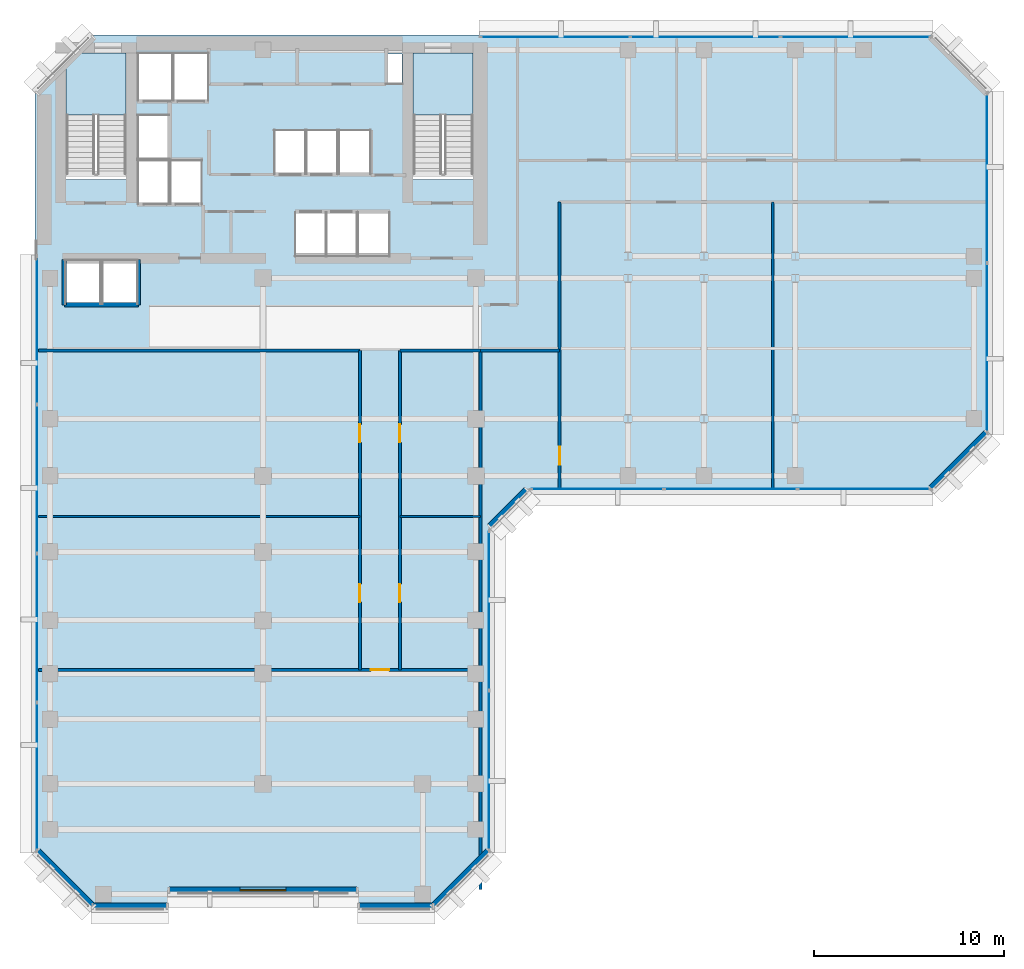
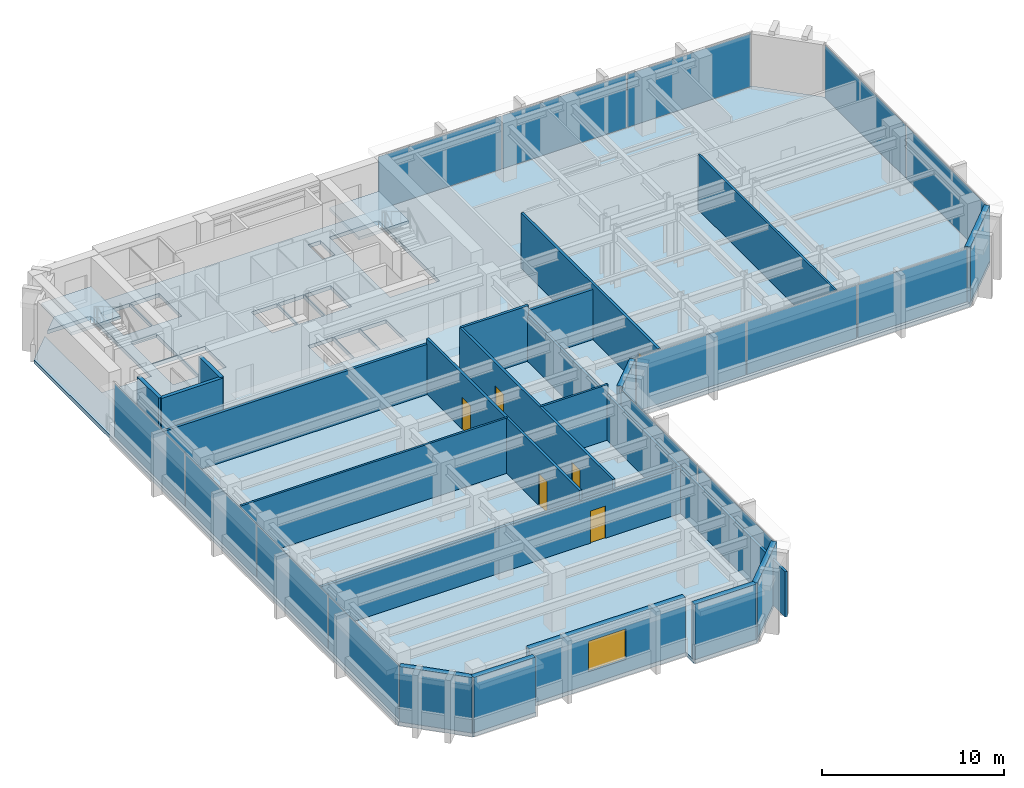
# One storey, part 6 of 11: 21 walls, 14 plates, 6 doors, 3 slabs, 1 window, 7 openings, 7 elements without a shape of their own.
"""IFC4 building model written with IfcOpenShell, lengths in metres."""

from ifc_helpers import new_model, si_unit, direction, frame, frame_2d, origin, origin_2d, place, context, subcontext, project, spatial, polyline, rectangle, outline, extrude, material, layer, layer_set, type_object, element, fill, aggregate, save


model = new_model("IFC4")

# Units and contexts
model_context = context("Model", 3, precision=1e-05, world=origin(), true_north=direction((0.0, 1.0)))
body_context = subcontext(model_context, "Body", "Model", "MODEL_VIEW")
ifc_project = project(units=[si_unit("LENGTHUNIT", "METRE"), si_unit("AREAUNIT", "SQUARE_METRE"), si_unit("VOLUMEUNIT", "CUBIC_METRE"), si_unit("PLANEANGLEUNIT", "RADIAN"), si_unit("MASSUNIT", "GRAM", prefix="KILO")], contexts=[model_context])

# Site, building, storey
site_placement = place(None, origin())
site = spatial("IfcSite", under=ifc_project, at=site_placement, CompositionType="ELEMENT")
building_placement = place(site_placement, origin())
building = spatial("IfcBuilding", under=site, at=building_placement, Name="Kefirva Bronze Tower", CompositionType="ELEMENT")
storey_placement = place(building_placement, frame((0.0, 0.0, 183.47998046875)))
storey = spatial("IfcBuildingStorey", under=building, at=storey_placement, Name="L44", CompositionType="ELEMENT", Elevation=183.47998046875)

# Stair, slab
ifc_material_1 = material(Name="Concrete C40/50", Category="concrete")
stair_type = type_object("IfcStairType", Name="RC Dogleg Protected Stair 24R", PredefinedType="HALF_TURN_STAIR", material=ifc_material_1)
stair_1_placement = place(storey_placement, origin())
stair_1 = element("IfcStair", 1, at=stair_1_placement, inside=storey, type_object=stair_type, Name="L44 Protected Exit Stair 1", PredefinedType="HALF_TURN_STAIR")
ifc_layer_1 = layer(ifc_material_1, 0.199951171875, Name="Concrete C40/50")
ifc_layer_set_1 = layer_set([ifc_layer_1], Name="Concrete C40/50")
slab_type_1 = type_object("IfcSlabType", Name="RC Stair Landing Slab 200mm", PredefinedType="LANDING", material=ifc_layer_set_1)
slab_1_placement = place(storey_placement, frame((0.0, 0.0, 1.780029296875)))
slab_1 = element("IfcSlab", 2, at=slab_1_placement, type_object=slab_type_1, Name="ST-1 landing 1", PredefinedType="LANDING", context=body_context, shape_type="SweptSolid", body=[
    extrude(outline(polyline([(4.800048828125, 41.780029296875), (4.800048828125, 45.050048828125), (1.64990234375, 45.050048828125), (1.64990234375, 41.780029296875), (4.800048828125, 41.780029296875)])), origin(), (0.0, 0.0, 1.0), 0.199951171875),
])
aggregate(stair_1, [slab_1])

stair_2_placement = place(storey_placement, origin())
stair_2 = element("IfcStair", 3, at=stair_2_placement, inside=storey, type_object=stair_type, Name="L44 Protected Exit Stair 2", PredefinedType="HALF_TURN_STAIR")
slab_2_placement = place(storey_placement, frame((0.0, 0.0, 1.780029296875)))
slab_2 = element("IfcSlab", 4, at=slab_2_placement, type_object=slab_type_1, Name="ST-2 landing 1", PredefinedType="LANDING", context=body_context, shape_type="SweptSolid", body=[
    extrude(outline(polyline([(23.050048828125, 41.780029296875), (23.050048828125, 45.050048828125), (19.89990234375, 45.050048828125), (19.89990234375, 41.780029296875), (23.050048828125, 41.780029296875)])), origin(), (0.0, 0.0, 1.0), 0.199951171875),
])
aggregate(stair_2, [slab_2])

# Slab
ifc_layer_2 = layer(ifc_material_1, 0.25, Name="Concrete C40/50")
ifc_layer_set_2 = layer_set([ifc_layer_2], Name="Concrete C40/50")
slab_type_2 = type_object("IfcSlabType", Name="RC Tower Floor Slab 250mm", PredefinedType="FLOOR", material=ifc_layer_set_2)
slab_3_placement = place(storey_placement, frame((0.0, 0.0, -0.25)))
element("IfcSlab", 5, at=slab_3_placement, inside=storey, type_object=slab_type_2, Name="L44 Structural Floor Slab", PredefinedType="FLOOR", context=body_context, shape_type="SweptSolid", body=[
    extrude(outline(polyline([(0.0, 3.0), (0.0, 43.0), (1.64990234375, 44.64990234375), (1.64990234375, 38.39990234375), (4.800048828125, 38.39990234375), (4.800048828125, 45.050048828125), (2.050048828125, 45.050048828125), (3.0, 46.0), (47.199951171875, 46.0), (50.199951171875, 43.0), (50.199951171875, 25.0), (47.199951171875, 22.0), (26.0, 22.0), (24.0, 20.0), (24.0, 3.0), (21.0, 0.0), (17.0, 0.0), (17.0, 0.85009765625), (7.0, 0.85009765625), (7.0, 0.0), (3.0, 0.0), (0.0, 3.0)]), holes=[polyline([(23.050048828125, 38.39990234375), (23.050048828125, 45.050048828125), (19.89990234375, 45.050048828125), (19.89990234375, 38.39990234375), (23.050048828125, 38.39990234375)]), polyline([(19.320068359375, 43.419921875), (19.320068359375, 45.0), (18.52001953125, 45.0), (18.52001953125, 43.419921875), (19.320068359375, 43.419921875)]), polyline([(18.64990234375, 34.35009765625), (18.64990234375, 36.64990234375), (17.0, 36.64990234375), (17.0, 34.35009765625), (18.64990234375, 34.35009765625)]), polyline([(17.64990234375, 38.679931640625), (17.64990234375, 40.97998046875), (16.0, 40.97998046875), (16.0, 38.679931640625), (17.64990234375, 38.679931640625)]), polyline([(16.949951171875, 34.35009765625), (16.949951171875, 36.64990234375), (15.35009765625, 36.64990234375), (15.35009765625, 34.35009765625), (16.949951171875, 34.35009765625)]), polyline([(15.929931640625, 38.679931640625), (15.929931640625, 40.97998046875), (14.300048828125, 40.97998046875), (14.300048828125, 38.679931640625), (15.929931640625, 38.679931640625)]), polyline([(15.300048828125, 34.35009765625), (15.300048828125, 36.64990234375), (13.699951171875, 36.64990234375), (13.699951171875, 34.35009765625), (15.300048828125, 34.35009765625)]), polyline([(14.22998046875, 38.679931640625), (14.22998046875, 40.97998046875), (12.60009765625, 40.97998046875), (12.60009765625, 38.679931640625), (14.22998046875, 38.679931640625)]), polyline([(9.1201171875, 42.550048828125), (9.1201171875, 45.050048828125), (7.300048828125, 45.050048828125), (7.300048828125, 42.550048828125), (9.1201171875, 42.550048828125)]), polyline([(8.780029296875, 37.10009765625), (8.780029296875, 39.39990234375), (7.139892578125, 39.39990234375), (7.139892578125, 37.10009765625), (8.780029296875, 37.10009765625)]), polyline([(7.239990234375, 42.550048828125), (7.239990234375, 45.050048828125), (5.419921875, 45.050048828125), (5.419921875, 42.550048828125), (7.239990234375, 42.550048828125)]), polyline([(7.06005859375, 37.10009765625), (7.06005859375, 39.39990234375), (5.419921875, 39.39990234375), (5.419921875, 37.10009765625), (7.06005859375, 37.10009765625)]), polyline([(7.06005859375, 39.47998046875), (7.06005859375, 41.780029296875), (5.419921875, 41.780029296875), (5.419921875, 39.47998046875), (7.06005859375, 39.47998046875)]), polyline([(5.39990234375, 31.85009765625), (5.39990234375, 34.14990234375), (3.550048828125, 34.14990234375), (3.550048828125, 31.85009765625), (5.39990234375, 31.85009765625)]), polyline([(3.449951171875, 31.85009765625), (3.449951171875, 34.14990234375), (1.60009765625, 34.14990234375), (1.60009765625, 31.85009765625), (3.449951171875, 31.85009765625)])]), origin(), (0.0, 0.0, 1.0), 0.25),
])

# Curtain wall, plates
ifc_material_2 = material(Name="Bronze anodised aluminium", Category="aluminium")
ifc_layer_3 = layer(ifc_material_2, 0.199951171875, Name="Bronze anodised aluminium")
ifc_layer_set_3 = layer_set([ifc_layer_3], Name="Bronze anodised aluminium")
curtain_wall_type = type_object("IfcCurtainWallType", Name="Unitised Bronze Ribbon Curtain Wall Zone 2", PredefinedType="USERDEFINED", material=ifc_layer_set_3)
curtain_wall_1_placement = place(storey_placement, origin())
curtain_wall_1 = element("IfcCurtainWall", 6, at=curtain_wall_1_placement, inside=storey, type_object=curtain_wall_type, Name="L44 Curtain Wall 1", ObjectType="UNITISED CURTAIN WALL", PredefinedType="USERDEFINED")
ifc_material_3 = material(Name="Laminated low-E double glazing", Category="glass")
ifc_layer_4 = layer(ifc_material_3, 0.031982421875, Name="Laminated low-E double glazing")
ifc_layer_set_4 = layer_set([ifc_layer_4], Name="Laminated low-E double glazing")
plate_type = type_object("IfcPlateType", Name="Solar-Control Low-E Vision Panel 32mm", PredefinedType="CURTAIN_PANEL", material=ifc_layer_set_4)
plate_1_placement = place(storey_placement, frame((23.8798828125, 7.296142578125, 0.074951171875), z_axis=(0.0, 0.0, 1.0), x_axis=(0.0, 1.0, 0.0)))
plate_1 = element("IfcPlate", 7, at=plate_1_placement, type_object=plate_type, Name="CW-02 panel 1.1", PredefinedType="CURTAIN_PANEL", context=body_context, shape_type="SweptSolid", body=[
    extrude(rectangle(XDim=8.33251953125, YDim=0.031982421875, at=origin_2d()), origin(), (0.0, 0.0, 1.0), 3.56005859375),
])
plate_2_placement = place(storey_placement, frame((23.8798828125, 15.703857421875, 0.074951171875), z_axis=(0.0, 0.0, 1.0), x_axis=(0.0, 1.0, 0.0)))
plate_2 = element("IfcPlate", 8, at=plate_2_placement, type_object=plate_type, Name="CW-02 panel 2.1", PredefinedType="CURTAIN_PANEL", context=body_context, shape_type="SweptSolid", body=[
    extrude(rectangle(XDim=8.33251953125, YDim=0.031982421875, at=origin_2d()), origin(), (0.0, 0.0, 1.0), 3.56005859375),
])
aggregate(curtain_wall_1, [plate_1, plate_2])

curtain_wall_2_placement = place(storey_placement, origin())
curtain_wall_2 = element("IfcCurtainWall", 9, at=curtain_wall_2_placement, inside=storey, type_object=curtain_wall_type, Name="L44 Curtain Wall 2", ObjectType="UNITISED CURTAIN WALL", PredefinedType="USERDEFINED")
plate_3_placement = place(storey_placement, frame((29.5888671875, 22.1201171875, 0.074951171875), z_axis=(0.0, 0.0, 1.0), x_axis=(1.0, 0.0, 0.0)))
plate_3 = element("IfcPlate", 10, at=plate_3_placement, type_object=plate_type, Name="CW-02 panel 1.1", PredefinedType="CURTAIN_PANEL", context=body_context, shape_type="SweptSolid", body=[
    extrude(rectangle(XDim=6.91748046875, YDim=0.031982421875, at=origin_2d()), origin(), (0.0, 0.0, 1.0), 3.56005859375),
])
plate_4_placement = place(storey_placement, frame((36.60009765625, 22.1201171875, 0.074951171875), z_axis=(0.0, 0.0, 1.0), x_axis=(1.0, 0.0, 0.0)))
plate_4 = element("IfcPlate", 11, at=plate_4_placement, type_object=plate_type, Name="CW-02 panel 2.1", PredefinedType="CURTAIN_PANEL", context=body_context, shape_type="SweptSolid", body=[
    extrude(rectangle(XDim=6.955078125, YDim=0.031982421875, at=origin_2d()), origin(), (0.0, 0.0, 1.0), 3.56005859375),
])
plate_5_placement = place(storey_placement, frame((43.611328125, 22.1201171875, 0.074951171875), z_axis=(0.0, 0.0, 1.0), x_axis=(1.0, 0.0, 0.0)))
plate_5 = element("IfcPlate", 12, at=plate_5_placement, type_object=plate_type, Name="CW-02 panel 3.1", PredefinedType="CURTAIN_PANEL", context=body_context, shape_type="SweptSolid", body=[
    extrude(rectangle(XDim=6.91748046875, YDim=0.031982421875, at=origin_2d()), origin(), (0.0, 0.0, 1.0), 3.56005859375),
])
aggregate(curtain_wall_2, [plate_3, plate_4, plate_5])

curtain_wall_3_placement = place(storey_placement, origin())
curtain_wall_3 = element("IfcCurtainWall", 13, at=curtain_wall_3_placement, inside=storey, type_object=curtain_wall_type, Name="L44 Curtain Wall 3", ObjectType="UNITISED CURTAIN WALL", PredefinedType="USERDEFINED")
plate_6_placement = place(storey_placement, frame((50.080078125, 29.546142578125, 0.074951171875), z_axis=(0.0, 0.0, 1.0), x_axis=(0.0, 1.0, 0.0)))
plate_6 = element("IfcPlate", 14, at=plate_6_placement, type_object=plate_type, Name="CW-02 panel 1.1", PredefinedType="CURTAIN_PANEL", context=body_context, shape_type="SweptSolid", body=[
    extrude(rectangle(XDim=8.83251953125, YDim=0.031982421875, at=origin_2d()), origin(), (0.0, 0.0, 1.0), 3.56005859375),
])
plate_7_placement = place(storey_placement, frame((50.080078125, 38.453857421875, 0.074951171875), z_axis=(0.0, 0.0, 1.0), x_axis=(0.0, 1.0, 0.0)))
plate_7 = element("IfcPlate", 15, at=plate_7_placement, type_object=plate_type, Name="CW-02 panel 2.1", PredefinedType="CURTAIN_PANEL", context=body_context, shape_type="SweptSolid", body=[
    extrude(rectangle(XDim=8.83251953125, YDim=0.031982421875, at=origin_2d()), origin(), (0.0, 0.0, 1.0), 3.56005859375),
])
aggregate(curtain_wall_3, [plate_6, plate_7])

curtain_wall_4_placement = place(storey_placement, origin())
curtain_wall_4 = element("IfcCurtainWall", 16, at=curtain_wall_4_placement, inside=storey, type_object=curtain_wall_type, Name="L44 Curtain Wall 4", ObjectType="UNITISED CURTAIN WALL", PredefinedType="USERDEFINED")
plate_8_placement = place(storey_placement, frame((43.169677734375, 45.8798828125, 0.074951171875), z_axis=(0.0, 0.0, 1.0), x_axis=(-1.0, 0.0, 0.0)))
plate_8 = element("IfcPlate", 17, at=plate_8_placement, type_object=plate_type, Name="CW-02 panel 1.1", PredefinedType="CURTAIN_PANEL", context=body_context, shape_type="SweptSolid", body=[
    extrude(rectangle(XDim=7.80078125, YDim=0.031982421875, at=origin_2d()), origin(), (0.0, 0.0, 1.0), 3.56005859375),
])
plate_9_placement = place(storey_placement, frame((35.27490234375, 45.8798828125, 0.074951171875), z_axis=(0.0, 0.0, 1.0), x_axis=(-1.0, 0.0, 0.0)))
plate_9 = element("IfcPlate", 18, at=plate_9_placement, type_object=plate_type, Name="CW-02 panel 2.1", PredefinedType="CURTAIN_PANEL", context=body_context, shape_type="SweptSolid", body=[
    extrude(rectangle(XDim=7.83837890625, YDim=0.031982421875, at=origin_2d()), origin(), (0.0, 0.0, 1.0), 3.56005859375),
])
plate_10_placement = place(storey_placement, frame((27.38037109375, 45.8798828125, 0.074951171875), z_axis=(0.0, 0.0, 1.0), x_axis=(-1.0, 0.0, 0.0)))
plate_10 = element("IfcPlate", 19, at=plate_10_placement, type_object=plate_type, Name="CW-02 panel 3.1", PredefinedType="CURTAIN_PANEL", context=body_context, shape_type="SweptSolid", body=[
    extrude(rectangle(XDim=7.80078125, YDim=0.031982421875, at=origin_2d()), origin(), (0.0, 0.0, 1.0), 3.56005859375),
])
aggregate(curtain_wall_4, [plate_8, plate_9, plate_10])

curtain_wall_5_placement = place(storey_placement, origin())
curtain_wall_5 = element("IfcCurtainWall", 20, at=curtain_wall_5_placement, inside=storey, type_object=curtain_wall_type, Name="L44 Curtain Wall 5", ObjectType="UNITISED CURTAIN WALL", PredefinedType="USERDEFINED")
plate_11_placement = place(storey_placement, frame((0.1201171875, 30.458740234375, 0.074951171875), z_axis=(0.0, 0.0, 1.0), x_axis=(0.0, -1.0, 0.0)))
plate_11 = element("IfcPlate", 21, at=plate_11_placement, type_object=plate_type, Name="CW-02 panel 1.1", PredefinedType="CURTAIN_PANEL", context=body_context, shape_type="SweptSolid", body=[
    extrude(rectangle(XDim=7.722412109375, YDim=0.031982421875, at=origin_2d()), origin(), (0.0, 0.0, 1.0), 3.56005859375),
])
plate_12_placement = place(storey_placement, frame((0.1201171875, 22.642578125, 0.074951171875), z_axis=(0.0, 0.0, 1.0), x_axis=(0.0, -1.0, 0.0)))
plate_12 = element("IfcPlate", 22, at=plate_12_placement, type_object=plate_type, Name="CW-02 panel 2.1", PredefinedType="CURTAIN_PANEL", context=body_context, shape_type="SweptSolid", body=[
    extrude(rectangle(XDim=7.760009765625, YDim=0.031982421875, at=origin_2d()), origin(), (0.0, 0.0, 1.0), 3.56005859375),
])
plate_13_placement = place(storey_placement, frame((0.1201171875, 14.8076171875, 0.074951171875), z_axis=(0.0, 0.0, 1.0), x_axis=(0.0, -1.0, 0.0)))
plate_13 = element("IfcPlate", 23, at=plate_13_placement, type_object=plate_type, Name="CW-02 panel 3.1", PredefinedType="CURTAIN_PANEL", context=body_context, shape_type="SweptSolid", body=[
    extrude(rectangle(XDim=7.760009765625, YDim=0.031982421875, at=origin_2d()), origin(), (0.0, 0.0, 1.0), 3.56005859375),
])
plate_14_placement = place(storey_placement, frame((0.1201171875, 6.9912109375, 0.074951171875), z_axis=(0.0, 0.0, 1.0), x_axis=(0.0, -1.0, 0.0)))
plate_14 = element("IfcPlate", 24, at=plate_14_placement, type_object=plate_type, Name="CW-02 panel 4.1", PredefinedType="CURTAIN_PANEL", context=body_context, shape_type="SweptSolid", body=[
    extrude(rectangle(XDim=7.722412109375, YDim=0.031982421875, at=origin_2d()), origin(), (0.0, 0.0, 1.0), 3.56005859375),
])
aggregate(curtain_wall_5, [plate_11, plate_12, plate_13, plate_14])

# Walls
ifc_material_4 = material(Name="Gypsum acoustic partition")
ifc_layer_5 = layer(ifc_material_4, 0.1298828125, Name="Gypsum acoustic partition")
ifc_layer_set_5 = layer_set([ifc_layer_5], Name="Gypsum acoustic partition")
wall_type_1 = type_object("IfcWallType", Name="Acoustic Office Partition 130mm", PredefinedType="PARTITIONING", material=ifc_layer_set_5)
wall_1_placement = place(storey_placement, frame((0.18994140625, 20.6640625, 0.0), z_axis=(0.0, 0.0, 1.0), x_axis=(1.0, 0.0, 0.0)))
element("IfcWall", 25, at=wall_1_placement, inside=storey, type_object=wall_type_1, Name="L44 Partition W-L44-SWD1", PredefinedType="PARTITIONING", context=body_context, shape_type="SweptSolid", body=[
    extrude(rectangle(XDim=16.91015625, YDim=0.1298828125, at=frame_2d((8.455078125, 0.0))), origin(), (0.0, 0.0, 1.0), 3.7099609375),
])
wall_2_placement = place(storey_placement, frame((19.199951171875, 20.6640625, 0.0), z_axis=(0.0, 0.0, 1.0), x_axis=(1.0, 0.0, 0.0)))
element("IfcWall", 26, at=wall_2_placement, inside=storey, type_object=wall_type_1, Name="L44 Partition W-L44-SED1", PredefinedType="PARTITIONING", context=body_context, shape_type="SweptSolid", body=[
    extrude(rectangle(XDim=4.25, YDim=0.1298828125, at=frame_2d((2.125, 0.0))), origin(), (0.0, 0.0, 1.0), 3.7099609375),
])
wall_3_placement = place(storey_placement, frame((38.804931640625, 22.18994140625, 0.0), z_axis=(0.0, 0.0, 1.0), x_axis=(0.0, 1.0, 0.0)))
element("IfcWall", 27, at=wall_3_placement, inside=storey, type_object=wall_type_1, Name="L44 Partition W-L44-ESD1", PredefinedType="PARTITIONING", context=body_context, shape_type="SweptSolid", body=[
    extrude(rectangle(XDim=15.010009765625, YDim=0.1298828125, at=frame_2d((7.5048828125, 0.0))), origin(), (0.0, 0.0, 1.0), 3.7099609375),
])
ifc_material_5 = material(Name="Gypsum fireboard shaftwall")
ifc_layer_6 = layer(ifc_material_5, 0.219970703125, Name="Gypsum fireboard shaftwall")
ifc_layer_set_6 = layer_set([ifc_layer_6], Name="Gypsum fireboard shaftwall")
wall_type_2 = type_object("IfcWallType", Name="Fire-Rated Shaft Enclosure Wall 220mm", PredefinedType="PARTITIONING", material=ifc_layer_set_6)
wall_4_placement = place(storey_placement, frame((1.550048828125, 31.800048828125, 0.0), z_axis=(0.0, 0.0, 1.0), x_axis=(1.0, 0.0, 0.0)))
element("IfcWall", 28, at=wall_4_placement, inside=storey, type_object=wall_type_2, Name="L44 Partition W-L44-OBS", PredefinedType="PARTITIONING", context=body_context, shape_type="SweptSolid", body=[
    extrude(rectangle(XDim=3.89990234375, YDim=0.219970703125, at=frame_2d((1.949951171875, 0.0))), origin(), (0.0, 0.0, 1.0), 3.7099609375),
])
for number, where, z_axis, x_axis, name in (
    (29, (1.550048828125, 31.800048828125, 0.0), (0.0, 0.0, 1.0), (0.0, 1.0, 0.0), "L44 Partition W-L44-OBW"),
    (30, (5.449951171875, 31.800048828125, 0.0), (0.0, 0.0, 1.0), (0.0, 1.0, 0.0), "L44 Partition W-L44-OBE"),
):
    element("IfcWall", number, at=place(storey_placement, frame(where, z_axis=z_axis, x_axis=x_axis)), inside=storey, type_object=wall_type_2, Name=name, PredefinedType="PARTITIONING", context=body_context, shape_type="SweptSolid", body=[
        extrude(rectangle(XDim=2.3798828125, YDim=0.219970703125, at=frame_2d((1.18994140625, 0.0))), origin(), (0.0, 0.0, 1.0), 3.7099609375),
    ])
ifc_material_6 = material(Name="Precast concrete C40/50", Category="concrete")
ifc_layer_7 = layer(ifc_material_6, 0.320068359375, Name="Precast concrete C40/50")
ifc_layer_set_7 = layer_set([ifc_layer_7], Name="Precast concrete C40/50")
wall_type_3 = type_object("IfcWallType", Name="Precast Insulated Exterior Wall 320mm", PredefinedType="SOLIDWALL", material=ifc_layer_set_7)
wall_5_placement = place(storey_placement, frame((3.054931640625, 0.159912109375, 0.0), z_axis=(0.0, 0.0, 1.0), x_axis=(1.0, 0.0, 0.0)))
element("IfcWall", 31, at=wall_5_placement, inside=storey, type_object=wall_type_3, Name="L44 Exterior Facade Wall 1", PredefinedType="SOLIDWALL", context=body_context, shape_type="SweptSolid", body=[
    extrude(rectangle(XDim=3.89013671875, YDim=0.320068359375, at=frame_2d((1.945068359375, 0.0))), origin(), (0.0, 0.0, 1.0), 3.7099609375),
])

# Wall, opening, window
wall_6_placement = place(storey_placement, frame((7.054931640625, 1.010009765625, 0.0), z_axis=(0.0, 0.0, 1.0), x_axis=(1.0, 0.0, 0.0)))
wall_6 = element("IfcWall", 32, at=wall_6_placement, inside=storey, type_object=wall_type_3, Name="L44 Exterior Facade Wall 2", PredefinedType="SOLIDWALL", context=body_context, shape_type="SweptSolid", body=[
    extrude(rectangle(XDim=9.89013671875, YDim=0.320068359375, at=frame_2d((4.945068359375, 0.0))), origin(), (0.0, 0.0, 1.0), 3.7099609375),
])
opening_1_placement = place(wall_6_placement, frame((3.7451171875, 0.0, 0.85009765625)))
opening_1 = element("IfcOpeningElement", 33, at=opening_1_placement, cuts=wall_6, Name="Opening WN-01", PredefinedType="OPENING", context=body_context, shape_type="SweptSolid", body=[
    extrude(rectangle(XDim=2.39990234375, YDim=2.050048828125, at=frame_2d((1.199951171875, 1.02490234375))), frame((0.0, 0.169921875, 0.0), z_axis=(0.0, -1.0, 0.0), x_axis=(1.0, 0.0, 0.0)), (0.0, 0.0, 1.0), 0.340087890625),
])
window_type = type_object("IfcWindowType", Name="Streamline Ribbon Window 2400x2050", PartitioningType="SINGLE_PANEL", PredefinedType="WINDOW", material=ifc_material_3)
window_placement = place(opening_1_placement, origin())
window = element("IfcWindow", 34, at=window_placement, inside=storey, type_object=window_type, Name="L44 Ribbon Window 2", OverallHeight=2.050048828125, OverallWidth=2.39990234375, PartitioningType="SINGLE_PANEL", PredefinedType="WINDOW", context=body_context, shape_type="SweptSolid", body=[
    extrude(rectangle(XDim=2.39990234375, YDim=2.050048828125, at=frame_2d((1.199951171875, 1.02490234375))), frame((0.0, 0.030029296875, 0.0), z_axis=(0.0, -1.0, 0.0), x_axis=(1.0, 0.0, 0.0)), (0.0, 0.0, 1.0), 0.06005859375),
])
fill(opening_1, window)

# Walls
wall_7_placement = place(storey_placement, frame((17.054931640625, 0.159912109375, 0.0), z_axis=(0.0, 0.0, 1.0), x_axis=(1.0, 0.0, 0.0)))
element("IfcWall", 35, at=wall_7_placement, inside=storey, type_object=wall_type_3, Name="L44 Exterior Facade Wall 3", PredefinedType="SOLIDWALL", context=body_context, shape_type="SweptSolid", body=[
    extrude(rectangle(XDim=3.89013671875, YDim=0.320068359375, at=frame_2d((1.945068359375, 0.0))), origin(), (0.0, 0.0, 1.0), 3.7099609375),
])
wall_8_placement = place(storey_placement, frame((20.92578125, 0.152099609375, 0.0), z_axis=(0.0, 0.0, 1.0), x_axis=(0.707106781187, 0.707106781187, 0.0)))
element("IfcWall", 36, at=wall_8_placement, inside=storey, type_object=wall_type_3, Name="L44 Exterior Facade Wall 4", PredefinedType="SOLIDWALL", context=body_context, shape_type="SweptSolid", body=[
    extrude(rectangle(XDim=4.132568359375, YDim=0.320068359375, at=frame_2d((2.06640625, 0.0))), origin(), (0.0, 0.0, 1.0), 3.7099609375),
])
wall_9_placement = place(storey_placement, frame((23.92578125, 20.152099609375, 0.0), z_axis=(0.0, 0.0, 1.0), x_axis=(0.707106781187, 0.707106781187, 0.0)))
element("IfcWall", 37, at=wall_9_placement, inside=storey, type_object=wall_type_3, Name="L44 Exterior Facade Wall 5", PredefinedType="SOLIDWALL", context=body_context, shape_type="SweptSolid", body=[
    extrude(rectangle(XDim=2.71826171875, YDim=0.320068359375, at=frame_2d((1.359130859375, 0.0))), origin(), (0.0, 0.0, 1.0), 3.7099609375),
])
for number, where, z_axis, x_axis, name in (
    (38, (47.125732421875, 22.152099609375, 0.0), (0.0, 0.0, 1.0), (0.707136318428, 0.707077242712, 0.0), "L44 Exterior Facade Wall 6"),
    (39, (0.152099609375, 3.07421875, 0.0), (0.0, 0.0, 1.0), (0.707106781187, -0.707106781187, 0.0), "L44 Exterior Facade Wall 9"),
):
    element("IfcWall", number, at=place(storey_placement, frame(where, z_axis=z_axis, x_axis=x_axis)), inside=storey, type_object=wall_type_3, Name=name, PredefinedType="SOLIDWALL", context=body_context, shape_type="SweptSolid", body=[
        extrude(rectangle(XDim=4.132568359375, YDim=0.320068359375, at=frame_2d((2.06640625, 0.0))), origin(), (0.0, 0.0, 1.0), 3.7099609375),
    ])

# Wall, openings, doors
ifc_layer_8 = layer(ifc_material_4, 0.159912109375, Name="Gypsum acoustic partition")
ifc_layer_set_8 = layer_set([ifc_layer_8], Name="Gypsum acoustic partition")
wall_type_4 = type_object("IfcWallType", Name="Protected Corridor Partition 160mm", PredefinedType="PARTITIONING", material=ifc_layer_set_8)
wall_10_placement = place(storey_placement, frame((17.10009765625, 12.60009765625, 0.0), z_axis=(0.0, 0.0, 1.0), x_axis=(0.0, 1.0, 0.0)))
wall_10 = element("IfcWall", 40, at=wall_10_placement, inside=storey, type_object=wall_type_4, Name="L44 Partition W-L44-SWCORW", PredefinedType="PARTITIONING", context=body_context, shape_type="SweptSolid", body=[
    extrude(rectangle(XDim=16.7998046875, YDim=0.159912109375, at=frame_2d((8.39990234375, 0.0))), origin(), (0.0, 0.0, 1.0), 3.7099609375),
])
opening_2_placement = place(wall_10_placement, frame((4.5068359375, 0.0, 0.0), z_axis=(0.0, 0.0, 1.0), x_axis=(-1.0, 0.0, 0.0)))
opening_2 = element("IfcOpeningElement", 41, at=opening_2_placement, cuts=wall_10, Name="Opening L44-D-SW1", PredefinedType="OPENING", context=body_context, shape_type="SweptSolid", body=[
    extrude(rectangle(XDim=0.949951171875, YDim=2.14990234375, at=frame_2d((0.47509765625, 1.074951171875))), frame((0.0, 0.08984375, 0.0), z_axis=(0.0, -1.0, 0.0), x_axis=(1.0, 0.0, 0.0)), (0.0, 0.0, 1.0), 0.179931640625),
])
opening_3_placement = place(wall_10_placement, frame((12.906982421875, 0.0, 0.0), z_axis=(0.0, 0.0, 1.0), x_axis=(-1.0, 0.0, 0.0)))
opening_3 = element("IfcOpeningElement", 42, at=opening_3_placement, cuts=wall_10, Name="Opening L44-D-SW2", PredefinedType="OPENING", context=body_context, shape_type="SweptSolid", body=[
    extrude(rectangle(XDim=0.949951171875, YDim=2.14990234375, at=frame_2d((0.47509765625, 1.074951171875))), frame((0.0, 0.08984375, 0.0), z_axis=(0.0, -1.0, 0.0), x_axis=(1.0, 0.0, 0.0)), (0.0, 0.0, 1.0), 0.179931640625),
])
ifc_material_7 = material(Name="Acoustic hardwood oak", Category="wood")
door_type = type_object("IfcDoorType", Name="Office & Meeting Room Door 950x2150", OperationType="NOTDEFINED", PredefinedType="DOOR", material=ifc_material_7)
door_1_placement = place(opening_2_placement, origin())
door_1 = element("IfcDoor", 43, at=door_1_placement, inside=storey, type_object=door_type, Name="Door L44-D-SW1", OperationType="SINGLE_SWING_LEFT", OverallHeight=2.14990234375, OverallWidth=0.949951171875, PredefinedType="DOOR", context=body_context, shape_type="SweptSolid", body=[
    extrude(rectangle(XDim=0.949951171875, YDim=2.14990234375, at=frame_2d((0.47509765625, 1.074951171875))), frame((0.0, 0.02490234375, 0.0), z_axis=(0.0, -1.0, 0.0), x_axis=(1.0, 0.0, 0.0)), (0.0, 0.0, 1.0), 0.050048828125),
])
fill(opening_2, door_1)
door_2_placement = place(opening_3_placement, origin())
door_2 = element("IfcDoor", 44, at=door_2_placement, inside=storey, type_object=door_type, Name="Door L44-D-SW2", OperationType="SINGLE_SWING_RIGHT", OverallHeight=2.14990234375, OverallWidth=0.949951171875, PredefinedType="DOOR", context=body_context, shape_type="SweptSolid", body=[
    extrude(rectangle(XDim=0.949951171875, YDim=2.14990234375, at=frame_2d((0.47509765625, 1.074951171875))), frame((0.0, 0.02490234375, 0.0), z_axis=(0.0, -1.0, 0.0), x_axis=(1.0, 0.0, 0.0)), (0.0, 0.0, 1.0), 0.050048828125),
])
fill(opening_3, door_2)

wall_11_placement = place(storey_placement, frame((19.199951171875, 12.60009765625, 0.0), z_axis=(0.0, 0.0, 1.0), x_axis=(0.0, 1.0, 0.0)))
wall_11 = element("IfcWall", 45, at=wall_11_placement, inside=storey, type_object=wall_type_4, Name="L44 Partition W-L44-SECORE", PredefinedType="PARTITIONING", context=body_context, shape_type="SweptSolid", body=[
    extrude(rectangle(XDim=16.7998046875, YDim=0.159912109375, at=frame_2d((8.39990234375, 0.0))), origin(), (0.0, 0.0, 1.0), 3.7099609375),
])
opening_4_placement = place(wall_11_placement, frame((3.556884765625, 0.0, 0.0)))
opening_4 = element("IfcOpeningElement", 46, at=opening_4_placement, cuts=wall_11, Name="Opening L44-D-SE1", PredefinedType="OPENING", context=body_context, shape_type="SweptSolid", body=[
    extrude(rectangle(XDim=0.949951171875, YDim=2.14990234375, at=frame_2d((0.47509765625, 1.074951171875))), frame((0.0, 0.08984375, 0.0), z_axis=(0.0, -1.0, 0.0), x_axis=(1.0, 0.0, 0.0)), (0.0, 0.0, 1.0), 0.179931640625),
])
opening_5_placement = place(wall_11_placement, frame((11.95703125, 0.0, 0.0)))
opening_5 = element("IfcOpeningElement", 47, at=opening_5_placement, cuts=wall_11, Name="Opening L44-D-SE2", PredefinedType="OPENING", context=body_context, shape_type="SweptSolid", body=[
    extrude(rectangle(XDim=0.949951171875, YDim=2.14990234375, at=frame_2d((0.47509765625, 1.074951171875))), frame((0.0, 0.08984375, 0.0), z_axis=(0.0, -1.0, 0.0), x_axis=(1.0, 0.0, 0.0)), (0.0, 0.0, 1.0), 0.179931640625),
])
door_3_placement = place(opening_4_placement, origin())
door_3 = element("IfcDoor", 48, at=door_3_placement, inside=storey, type_object=door_type, Name="Door L44-D-SE1", OperationType="SINGLE_SWING_LEFT", OverallHeight=2.14990234375, OverallWidth=0.949951171875, PredefinedType="DOOR", context=body_context, shape_type="SweptSolid", body=[
    extrude(rectangle(XDim=0.949951171875, YDim=2.14990234375, at=frame_2d((0.47509765625, 1.074951171875))), frame((0.0, 0.02490234375, 0.0), z_axis=(0.0, -1.0, 0.0), x_axis=(1.0, 0.0, 0.0)), (0.0, 0.0, 1.0), 0.050048828125),
])
fill(opening_4, door_3)
door_4_placement = place(opening_5_placement, origin())
door_4 = element("IfcDoor", 49, at=door_4_placement, inside=storey, type_object=door_type, Name="Door L44-D-SE2", OperationType="SINGLE_SWING_RIGHT", OverallHeight=2.14990234375, OverallWidth=0.949951171875, PredefinedType="DOOR", context=body_context, shape_type="SweptSolid", body=[
    extrude(rectangle(XDim=0.949951171875, YDim=2.14990234375, at=frame_2d((0.47509765625, 1.074951171875))), frame((0.0, 0.02490234375, 0.0), z_axis=(0.0, -1.0, 0.0), x_axis=(1.0, 0.0, 0.0)), (0.0, 0.0, 1.0), 0.050048828125),
])
fill(opening_5, door_4)

# Wall, opening, door
wall_12_placement = place(storey_placement, frame((0.18994140625, 12.60009765625, 0.0), z_axis=(0.0, 0.0, 1.0), x_axis=(1.0, 0.0, 0.0)))
wall_12 = element("IfcWall", 50, at=wall_12_placement, inside=storey, type_object=wall_type_4, Name="L44 Partition W-L44-SBEND", PredefinedType="PARTITIONING", context=body_context, shape_type="SweptSolid", body=[
    extrude(rectangle(XDim=23.260009765625, YDim=0.159912109375, at=frame_2d((11.6298828125, 0.0))), origin(), (0.0, 0.0, 1.0), 3.044921875),
])
opening_6_placement = place(wall_12_placement, frame((17.489990234375, 0.0, 0.0)))
opening_6 = element("IfcOpeningElement", 51, at=opening_6_placement, cuts=wall_12, Name="Opening L44-D-SEND1", PredefinedType="OPENING", context=body_context, shape_type="SweptSolid", body=[
    extrude(rectangle(XDim=0.949951171875, YDim=2.14990234375, at=frame_2d((0.47509765625, 1.074951171875))), frame((0.0, 0.08984375, 0.0), z_axis=(0.0, -1.0, 0.0), x_axis=(1.0, 0.0, 0.0)), (0.0, 0.0, 1.0), 0.179931640625),
])
door_5_placement = place(opening_6_placement, origin())
door_5 = element("IfcDoor", 52, at=door_5_placement, inside=storey, type_object=door_type, Name="Door L44-D-SEND1", OperationType="SINGLE_SWING_RIGHT", OverallHeight=2.14990234375, OverallWidth=0.949951171875, PredefinedType="DOOR", context=body_context, shape_type="SweptSolid", body=[
    extrude(rectangle(XDim=0.949951171875, YDim=2.14990234375, at=frame_2d((0.47509765625, 1.074951171875))), frame((0.0, 0.02490234375, 0.0), z_axis=(0.0, -1.0, 0.0), x_axis=(1.0, 0.0, 0.0)), (0.0, 0.0, 1.0), 0.050048828125),
])
fill(opening_6, door_5)

# Walls
wall_13_placement = place(storey_placement, frame((0.18994140625, 29.39990234375, 0.0), z_axis=(0.0, 0.0, 1.0), x_axis=(1.0, 0.0, 0.0)))
element("IfcWall", 53, at=wall_13_placement, inside=storey, type_object=wall_type_4, Name="L44 Partition W-L44-NWT", PredefinedType="PARTITIONING", context=body_context, shape_type="SweptSolid", body=[
    extrude(rectangle(XDim=16.91015625, YDim=0.159912109375, at=frame_2d((8.455078125, 0.0))), origin(), (0.0, 0.0, 1.0), 3.364990234375),
])
wall_14_placement = place(storey_placement, frame((19.199951171875, 29.39990234375, 0.0), z_axis=(0.0, 0.0, 1.0), x_axis=(1.0, 0.0, 0.0)))
element("IfcWall", 54, at=wall_14_placement, inside=storey, type_object=wall_type_4, Name="L44 Partition W-L44-NET", PredefinedType="PARTITIONING", context=body_context, shape_type="SweptSolid", body=[
    extrude(rectangle(XDim=4.25, YDim=0.159912109375, at=frame_2d((2.125, 0.0))), origin(), (0.0, 0.0, 1.0), 3.7099609375),
])
wall_15_placement = place(storey_placement, frame((23.449951171875, 1.0400390625, 0.0), z_axis=(0.0, 0.0, 1.0), x_axis=(0.0, 1.0, 0.0)))
element("IfcWall", 55, at=wall_15_placement, inside=storey, type_object=wall_type_4, Name="L44 Partition W-L44-SWEAST", PredefinedType="PARTITIONING", context=body_context, shape_type="SweptSolid", body=[
    extrude(rectangle(XDim=28.35986328125, YDim=0.159912109375, at=frame_2d((14.179931640625, 0.0))), origin(), (0.0, 0.0, 1.0), 3.044921875),
])

# Wall, opening, door
wall_16_placement = place(storey_placement, frame((27.60009765625, 22.18994140625, 0.0), z_axis=(0.0, 0.0, 1.0), x_axis=(0.0, 1.0, 0.0)))
wall_16 = element("IfcWall", 56, at=wall_16_placement, inside=storey, type_object=wall_type_4, Name="L44 Partition W-L44-ELKE", PredefinedType="PARTITIONING", context=body_context, shape_type="SweptSolid", body=[
    extrude(rectangle(XDim=15.010009765625, YDim=0.159912109375, at=frame_2d((7.5048828125, 0.0))), origin(), (0.0, 0.0, 1.0), 3.7099609375),
])
opening_7_placement = place(wall_16_placement, frame((2.14990234375, 0.0, 0.0), z_axis=(0.0, 0.0, 1.0), x_axis=(-1.0, 0.0, 0.0)))
opening_7 = element("IfcOpeningElement", 57, at=opening_7_placement, cuts=wall_16, Name="Opening L44-D-ESW", PredefinedType="OPENING", context=body_context, shape_type="SweptSolid", body=[
    extrude(rectangle(XDim=0.949951171875, YDim=2.14990234375, at=frame_2d((0.47509765625, 1.074951171875))), frame((0.0, 0.08984375, 0.0), z_axis=(0.0, -1.0, 0.0), x_axis=(1.0, 0.0, 0.0)), (0.0, 0.0, 1.0), 0.179931640625),
])
door_6_placement = place(opening_7_placement, origin())
door_6 = element("IfcDoor", 58, at=door_6_placement, inside=storey, type_object=door_type, Name="Door L44-D-ESW", OperationType="SINGLE_SWING_RIGHT", OverallHeight=2.14990234375, OverallWidth=0.949951171875, PredefinedType="DOOR", context=body_context, shape_type="SweptSolid", body=[
    extrude(rectangle(XDim=0.949951171875, YDim=2.14990234375, at=frame_2d((0.47509765625, 1.074951171875))), frame((0.0, 0.02490234375, 0.0), z_axis=(0.0, -1.0, 0.0), x_axis=(1.0, 0.0, 0.0)), (0.0, 0.0, 1.0), 0.050048828125),
])
fill(opening_7, door_6)

# Wall
wall_17_placement = place(storey_placement, frame((23.449951171875, 29.39990234375, 0.0), z_axis=(0.0, 0.0, 1.0), x_axis=(1.0, 0.0, 0.0)))
element("IfcWall", 59, at=wall_17_placement, inside=storey, type_object=wall_type_4, Name="L44 Partition W-L44-ECS0", PredefinedType="PARTITIONING", context=body_context, shape_type="SweptSolid", body=[
    extrude(rectangle(XDim=4.150146484375, YDim=0.159912109375, at=frame_2d((2.0751953125, 0.0))), origin(), (0.0, 0.0, 1.0), 3.364990234375),
])

save(model, "model.ifc")
